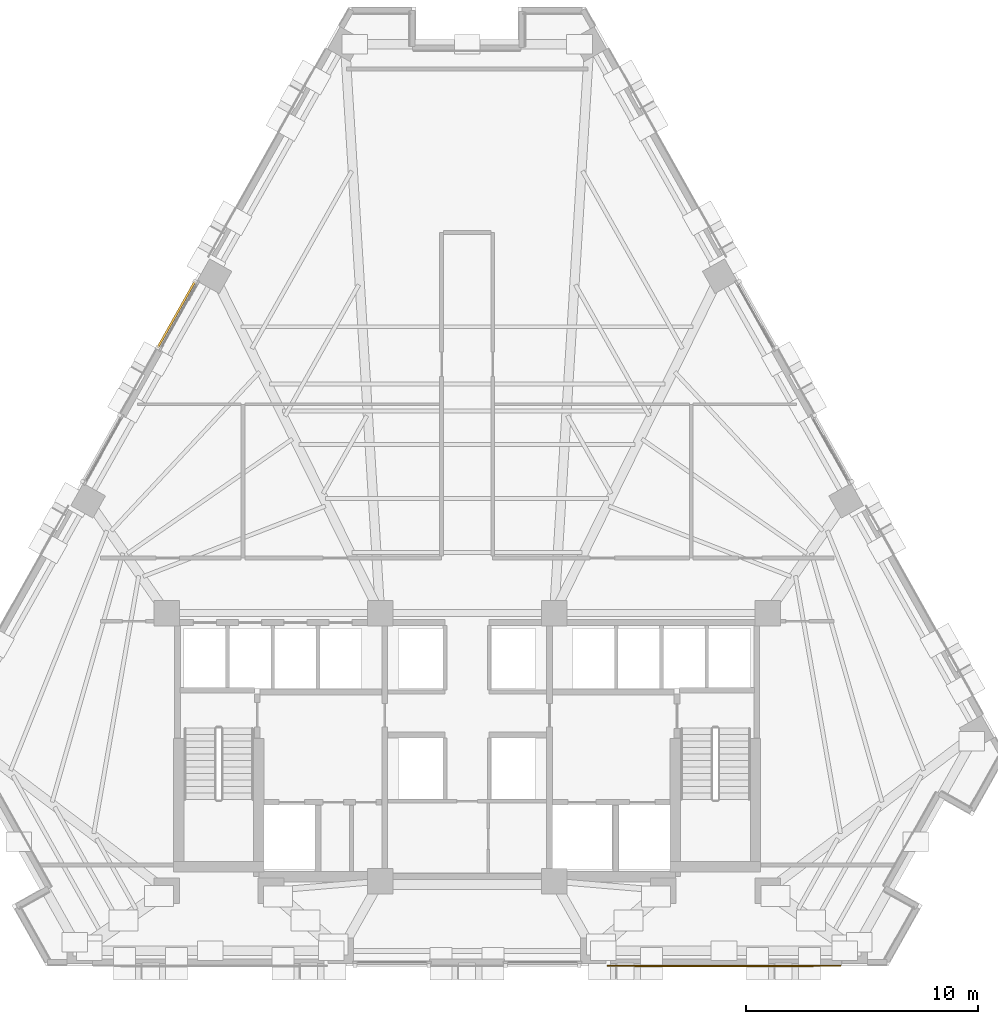
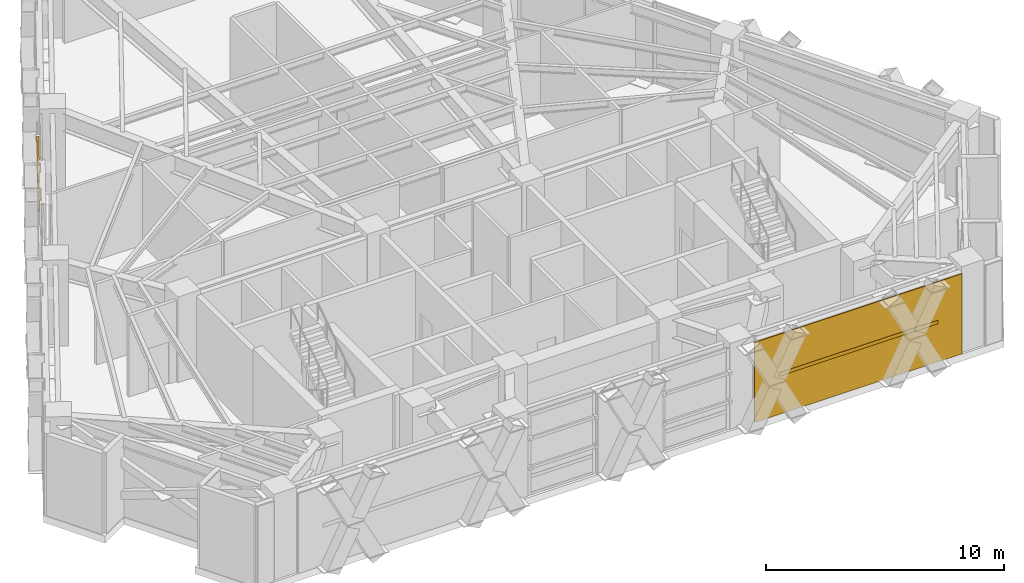
# One storey, part 10 of 12: 3 shading devices, 1 covering.
"""IFC4 building model written with IfcOpenShell, lengths in metres."""

from ifc_helpers import new_model, si_unit, direction, frame, origin, origin_2d, place, context, subcontext, project, spatial, polyline, rectangle, outline, extrude, material, layer, layer_set, material_profile, profile_set, type_object, element, save


model = new_model("IFC4")

# Units and contexts
model_context = context("Model", 3, precision=1e-05, world=origin(), true_north=direction((0.0, 1.0)))
body_context = subcontext(model_context, "Body", "Model", "MODEL_VIEW")
ifc_project = project(units=[si_unit("LENGTHUNIT", "METRE"), si_unit("AREAUNIT", "SQUARE_METRE"), si_unit("VOLUMEUNIT", "CUBIC_METRE"), si_unit("PLANEANGLEUNIT", "RADIAN"), si_unit("MASSUNIT", "GRAM", prefix="KILO")], contexts=[model_context])

# Site, building, storey
site_placement = place(None, origin())
site = spatial("IfcSite", under=ifc_project, at=site_placement, CompositionType="ELEMENT")
building_placement = place(site_placement, origin())
building = spatial("IfcBuilding", under=site, at=building_placement, Name="Quenlor Broadcast Tower", CompositionType="ELEMENT")
storey_placement = place(building_placement, frame((0.0, 0.0, 90.60009765625)))
storey = spatial("IfcBuildingStorey", under=building, at=storey_placement, Name="L24", CompositionType="ELEMENT", Elevation=90.60009765625)

# Shading devices
ifc_material_1 = material(Name="Architectural Terracotta Ceramic", Category="masonry")
ifc_material_profile_1 = material_profile(ifc_material_1, rectangle(XDim=0.090087890625, YDim=0.139892578125, at=origin_2d()))
ifc_profile_set_1 = profile_set([ifc_material_profile_1], Name="Architectural Terracotta Ceramic BAG90x140")
shading_device_type_1 = type_object("IfcShadingDeviceType", Name="Copper Terracotta Baguette Solar Screen 140", PredefinedType="USERDEFINED", material=ifc_profile_set_1)
for number, where, z_axis, x_axis, name in (
    (1, (-13.330810546875, 6.645751953125, 1.493896484375), (0.490314411453, 0.87154562584, 0.0), (-0.87154562584, 0.490314411453, 0.0), "L24 Terracotta Baguette Screen 1"),
    (2, (-13.330810546875, 6.645751953125, 2.98779296875), (0.490314411453, 0.87154562584, 0.0), (-0.87154562584, 0.490314411453, 0.0), "L24 Terracotta Baguette Screen 2"),
):
    element("IfcShadingDevice", number, at=place(storey_placement, frame(where, z_axis=z_axis, x_axis=x_axis)), inside=storey, type_object=shading_device_type_1, Name=name, ObjectType="BAGUETTE", PredefinedType="USERDEFINED", context=body_context, shape_type="SweptSolid", body=[
        extrude(rectangle(XDim=0.090087890625, YDim=0.139892578125, at=origin_2d()), origin(), (0.0, 0.0, 1.0), 3.269775390625),
    ])

# Covering
ifc_material_2 = material(Name="Architectural Terracotta Ceramic", Category="masonry")
ifc_layer = layer(ifc_material_2, 0.044921875)
ifc_layer_set = layer_set([ifc_layer], Name="Fluted Terracotta Rainscreen Cladding Panel")
covering_type = type_object("IfcCoveringType", Name="Fluted Terracotta Rainscreen Cladding Panel", PredefinedType="CLADDING", material=ifc_layer_set)
covering_placement = place(storey_placement, frame((0.0, 0.0, 0.02001953125)))
element("IfcCovering", 3, at=covering_placement, inside=storey, type_object=covering_type, Name="L24 Terracotta Rainscreen Cladding L24-EW-SA", PredefinedType="CLADDING", context=body_context, shape_type="SweptSolid", body=[
    extrude(outline(polyline([(16.107421875, -19.971923828125), (6.0283203125, -19.971923828125), (6.0283203125, -20.01708984375), (16.107421875, -20.01708984375), (16.107421875, -19.971923828125)])), origin(), (0.0, 0.0, 1.0), 4.10986328125),
])

# Shading device
ifc_material_3 = material(Name="Architectural Terracotta Ceramic", Category="masonry")
ifc_material_profile_2 = material_profile(ifc_material_3, rectangle(XDim=0.06005859375, YDim=0.179931640625, at=origin_2d()))
ifc_profile_set_2 = profile_set([ifc_material_profile_2], Name="Architectural Terracotta Ceramic LVR60x180")
shading_device_type_2 = type_object("IfcShadingDeviceType", Name="Terracotta Acoustic Plant Weather Louvre 180", PredefinedType="JALOUSIE", material=ifc_profile_set_2)
shading_device_placement = place(storey_placement, frame((14.9208984375, -19.998046875, 2.074951171875), z_axis=(-1.0, 0.0, 0.0), x_axis=(0.0, -1.0, 0.0)))
element("IfcShadingDevice", 4, at=shading_device_placement, inside=storey, type_object=shading_device_type_2, Name="L24 Plant Weather Louvre L24-LV-SA", PredefinedType="JALOUSIE", context=body_context, shape_type="SweptSolid", body=[
    extrude(rectangle(XDim=0.06005859375, YDim=0.179931640625, at=origin_2d()), origin(), (0.0, 0.0, 1.0), 7.7060546875),
])

save(model, "model.ifc")
